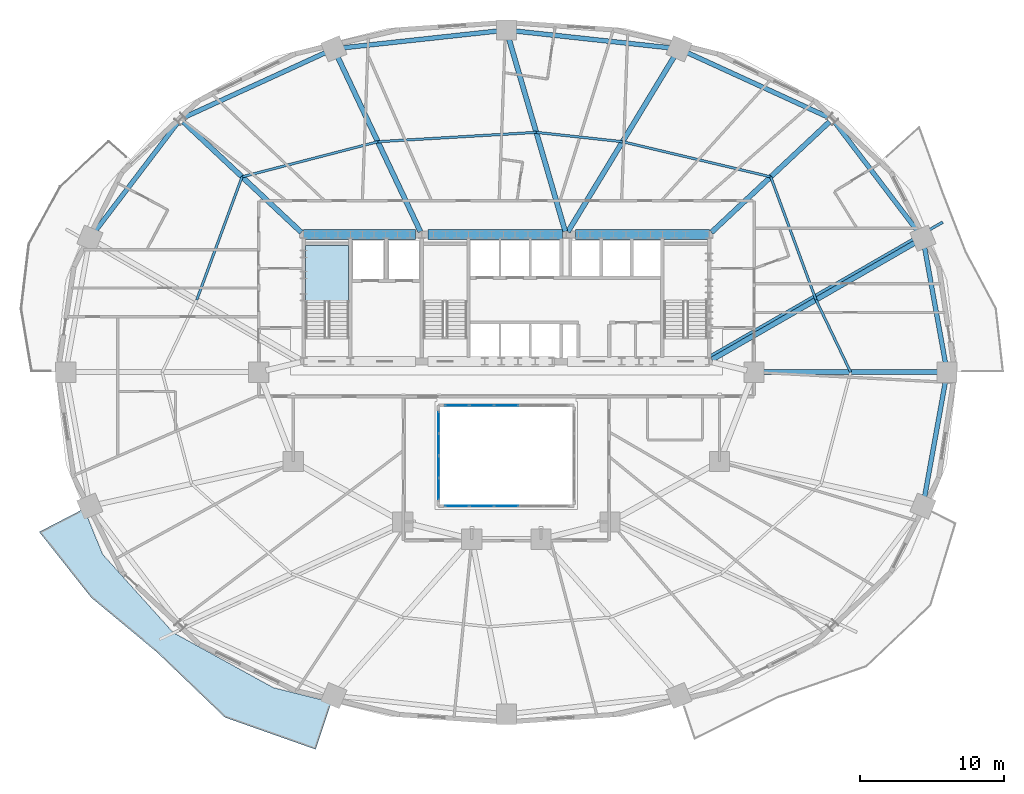
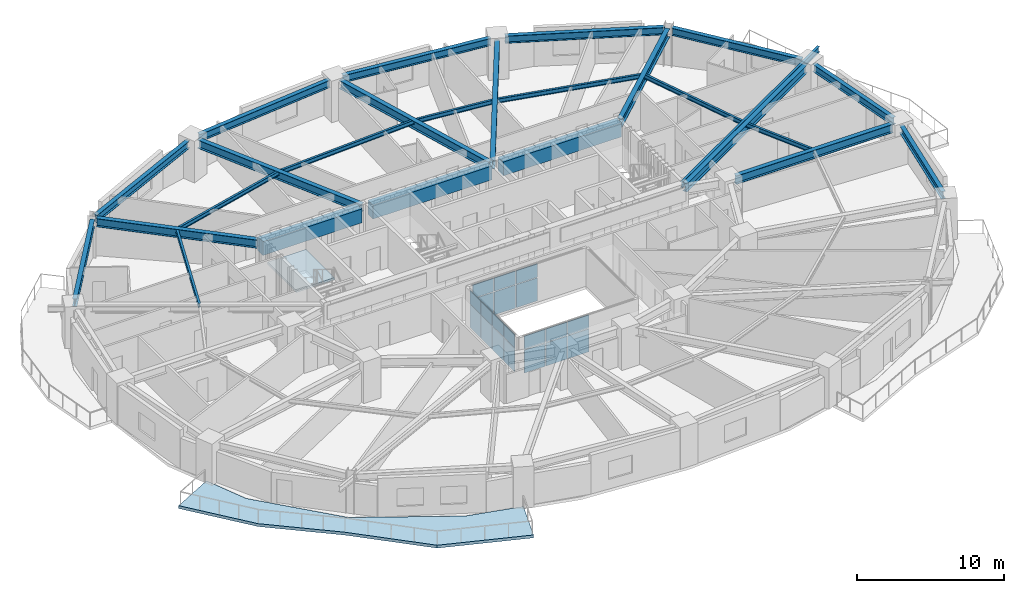
# One storey, part 7 of 17: 26 beams, 20 plates, 2 slabs, 4 elements without a shape of their own.
"""IFC4 building model written with IfcOpenShell, lengths in metres."""

from ifc_helpers import new_model, si_unit, direction, frame, origin, origin_2d, place, context, subcontext, project, spatial, polyline, rectangle, i_section, outline, extrude, material, layer, layer_set, material_profile, profile_set, type_object, element, aggregate, save


model = new_model("IFC4")

# Units and contexts
model_context = context("Model", 3, precision=1e-05, world=origin(), true_north=direction((0.0, 1.0)))
body_context = subcontext(model_context, "Body", "Model", "MODEL_VIEW")
ifc_project = project(units=[si_unit("LENGTHUNIT", "METRE"), si_unit("AREAUNIT", "SQUARE_METRE"), si_unit("VOLUMEUNIT", "CUBIC_METRE"), si_unit("PLANEANGLEUNIT", "RADIAN"), si_unit("MASSUNIT", "GRAM", prefix="KILO")], contexts=[model_context])

# Site, building, storey
site_placement = place(None, origin())
site = spatial("IfcSite", under=ifc_project, at=site_placement, CompositionType="ELEMENT")
building_placement = place(site_placement, origin())
building = spatial("IfcBuilding", under=site, at=building_placement, Name="Haldorwick Loom Tower", CompositionType="ELEMENT")
storey_placement = place(building_placement, frame((0.0, 0.0, 44.699951171875)))
storey = spatial("IfcBuildingStorey", under=building, at=storey_placement, Name="L11", CompositionType="ELEMENT", Elevation=44.699951171875)

# Beams
ifc_material_1 = material(Name="Steel CSA G40.21 350W", Category="steel")
ifc_material_profile_1 = material_profile(ifc_material_1, i_section(OverallWidth=0.193115234375, OverallDepth=0.466064453125, WebThickness=0.011474609375, FlangeThickness=0.01904296875, at=origin_2d()), Name="W460X97", Category="steel")
ifc_profile_set_1 = profile_set([ifc_material_profile_1], Name="Steel CSA G40.21 350W")
beam_type_1 = type_object("IfcBeamType", Name="STR-BM-BAL460", PredefinedType="BEAM", material=ifc_profile_set_1)
beam_1_placement = place(storey_placement, frame((50.125244140625, 27.10498046875, 2.97705078125), z_axis=(0.866607024941, 0.49899124674, 0.0), x_axis=(-0.49899124674, 0.866607024941, 0.0)))
element("IfcBeam", 1, at=beam_1_placement, inside=storey, type_object=beam_type_1, Name="L11 Continuous Back-Spanned Balcony Beam 4", PredefinedType="BEAM", context=body_context, shape_type="SweptSolid", body=[
    extrude(i_section(OverallWidth=0.193115234375, OverallDepth=0.466064453125, WebThickness=0.011474609375, FlangeThickness=0.01904296875, at=origin_2d()), origin(), (0.0, 0.0, 1.0), 18.65771484375),
])
ifc_material_2 = material(Name="Concrete C60 (60 MPa)", Category="concrete")
ifc_material_profile_2 = material_profile(ifc_material_2, rectangle(XDim=0.699951171875, YDim=1.14990234375, at=origin_2d()), Name="RC700X1150", Category="concrete")
ifc_profile_set_2 = profile_set([ifc_material_profile_2], Name="Concrete C60 (60 MPa)")
beam_type_2 = type_object("IfcBeamType", Name="STR-BM-CB1150", PredefinedType="LINTEL", material=ifc_profile_set_2)
beam_2_placement = place(storey_placement, frame((21.89990234375, 35.550048828125, 2.635009765625), z_axis=(1.0, 0.0, 0.0), x_axis=(0.0, 1.0, 0.0)))
element("IfcBeam", 2, at=beam_2_placement, inside=storey, type_object=beam_type_2, Name="L11 Core Coupling Beam CB-N1", PredefinedType="LINTEL", context=body_context, shape_type="SweptSolid", body=[
    extrude(rectangle(XDim=0.699951171875, YDim=1.14990234375, at=origin_2d()), origin(), (0.0, 0.0, 1.0), 7.800048828125),
])
beam_3_placement = place(storey_placement, frame((30.550048828125, 35.550048828125, 2.635009765625), z_axis=(1.0, 0.0, 0.0), x_axis=(0.0, 1.0, 0.0)))
element("IfcBeam", 3, at=beam_3_placement, inside=storey, type_object=beam_type_2, Name="L11 Core Coupling Beam CB-N2", PredefinedType="LINTEL", context=body_context, shape_type="SweptSolid", body=[
    extrude(rectangle(XDim=0.699951171875, YDim=1.14990234375, at=origin_2d()), origin(), (0.0, 0.0, 1.0), 9.349853515625),
])
beam_4_placement = place(storey_placement, frame((40.800048828125, 35.550048828125, 2.635009765625), z_axis=(1.0, 0.0, 0.0), x_axis=(0.0, 1.0, 0.0)))
element("IfcBeam", 4, at=beam_4_placement, inside=storey, type_object=beam_type_2, Name="L11 Core Coupling Beam CB-N3", PredefinedType="LINTEL", context=body_context, shape_type="SweptSolid", body=[
    extrude(rectangle(XDim=0.699951171875, YDim=1.14990234375, at=origin_2d()), origin(), (0.0, 0.0, 1.0), 9.300048828125),
])
ifc_material_profile_3 = material_profile(ifc_material_1, i_section(OverallWidth=0.172119140625, OverallDepth=0.35791015625, WebThickness=0.0078125, FlangeThickness=0.01318359375, at=origin_2d()), Name="W360X57", Category="steel")
ifc_profile_set_3 = profile_set([ifc_material_profile_3], Name="Steel CSA G40.21 350W")
beam_type_3 = type_object("IfcBeamType", Name="STR-BM-J360", PredefinedType="JOIST", material=ifc_profile_set_3)
beam_5_placement = place(storey_placement, frame((59.89794921875, 26.0, 3.031005859375), z_axis=(-0.431630738849, 0.902050389546, 0.0), x_axis=(-0.902050389546, -0.431630738849, 0.0)))
element("IfcBeam", 5, at=beam_5_placement, inside=storey, type_object=beam_type_3, Name="L11 Mid-Bay Secondary Joist 1", PredefinedType="JOIST", context=body_context, shape_type="SweptSolid", body=[
    extrude(i_section(OverallWidth=0.172119140625, OverallDepth=0.35791015625, WebThickness=0.0078125, FlangeThickness=0.01318359375, at=origin_2d()), origin(), (0.0, 0.0, 1.0), 5.5703125),
])
beam_6_placement = place(storey_placement, frame((57.49365234375, 31.024658203125, 3.031005859375), z_axis=(-0.345576005762, 0.938390763084, 0.0), x_axis=(-0.938390763084, -0.345576005762, 0.0)))
element("IfcBeam", 6, at=beam_6_placement, inside=storey, type_object=beam_type_3, Name="L11 Mid-Bay Secondary Joist 2", PredefinedType="JOIST", context=body_context, shape_type="SweptSolid", body=[
    extrude(i_section(OverallWidth=0.172119140625, OverallDepth=0.35791015625, WebThickness=0.0078125, FlangeThickness=0.01318359375, at=origin_2d()), origin(), (0.0, 0.0, 1.0), 9.0966796875),
])
beam_7_placement = place(storey_placement, frame((54.35009765625, 39.560791015625, 3.031005859375), z_axis=(-0.973016191143, 0.230736845289, 0.0), x_axis=(-0.230736845289, -0.973016191143, 0.0)))
element("IfcBeam", 7, at=beam_7_placement, inside=storey, type_object=beam_type_3, Name="L11 Mid-Bay Secondary Joist 3", PredefinedType="JOIST", context=body_context, shape_type="SweptSolid", body=[
    extrude(i_section(OverallWidth=0.172119140625, OverallDepth=0.35791015625, WebThickness=0.0078125, FlangeThickness=0.01318359375, at=origin_2d()), origin(), (0.0, 0.0, 1.0), 10.5712890625),
])
beam_8_placement = place(storey_placement, frame((44.06396484375, 42.0, 3.031005859375), z_axis=(-0.994163660215, 0.107882420753, 0.0), x_axis=(-0.107882420753, -0.994163660215, 0.0)))
element("IfcBeam", 8, at=beam_8_placement, inside=storey, type_object=beam_type_3, Name="L11 Mid-Bay Secondary Joist 4", PredefinedType="JOIST", context=body_context, shape_type="SweptSolid", body=[
    extrude(i_section(OverallWidth=0.172119140625, OverallDepth=0.35791015625, WebThickness=0.0078125, FlangeThickness=0.01318359375, at=origin_2d()), origin(), (0.0, 0.0, 1.0), 6.024169921875),
])
beam_9_placement = place(storey_placement, frame((38.074951171875, 42.64990234375, 3.031005859375), z_axis=(-0.998258904552, -0.058984400336, 0.0), x_axis=(0.058984400336, -0.998258904552, 0.0)))
element("IfcBeam", 9, at=beam_9_placement, inside=storey, type_object=beam_type_3, Name="L11 Mid-Bay Secondary Joist 5", PredefinedType="JOIST", context=body_context, shape_type="SweptSolid", body=[
    extrude(i_section(OverallWidth=0.172119140625, OverallDepth=0.35791015625, WebThickness=0.0078125, FlangeThickness=0.01318359375, at=origin_2d()), origin(), (0.0, 0.0, 1.0), 11.018310546875),
])
beam_10_placement = place(storey_placement, frame((27.075927734375, 42.0, 3.031005859375), z_axis=(-0.968110955806, -0.250521809927, 0.0), x_axis=(0.250521809927, -0.968110955806, 0.0)))
element("IfcBeam", 10, at=beam_10_placement, inside=storey, type_object=beam_type_3, Name="L11 Mid-Bay Secondary Joist 6", PredefinedType="JOIST", context=body_context, shape_type="SweptSolid", body=[
    extrude(i_section(OverallWidth=0.172119140625, OverallDepth=0.35791015625, WebThickness=0.0078125, FlangeThickness=0.01318359375, at=origin_2d()), origin(), (0.0, 0.0, 1.0), 9.736572265625),
])
beam_11_placement = place(storey_placement, frame((17.64990234375, 39.560791015625, 3.031005859375), z_axis=(-0.345576005762, -0.938390763084, 0.0), x_axis=(0.938390763084, -0.345576005762, 0.0)))
element("IfcBeam", 11, at=beam_11_placement, inside=storey, type_object=beam_type_3, Name="L11 Mid-Bay Secondary Joist 7", PredefinedType="JOIST", context=body_context, shape_type="SweptSolid", body=[
    extrude(i_section(OverallWidth=0.172119140625, OverallDepth=0.35791015625, WebThickness=0.0078125, FlangeThickness=0.01318359375, at=origin_2d()), origin(), (0.0, 0.0, 1.0), 9.0966796875),
])
ifc_material_profile_4 = material_profile(ifc_material_1, i_section(OverallWidth=0.324951171875, OverallDepth=0.615966796875, WebThickness=0.013916015625, FlangeThickness=0.021484375, at=origin_2d()), Name="W610X174", Category="steel")
ifc_profile_set_4 = profile_set([ifc_material_profile_4], Name="Steel CSA G40.21 350W")
beam_type_4 = type_object("IfcBeamType", Name="STR-BM-SP610", PredefinedType="SPANDREL", material=ifc_profile_set_4)
beam_12_placement = place(storey_placement, frame((66.503662109375, 26.51171875, 2.902099609375), z_axis=(-0.177641139482, 0.984095333575, 0.0), x_axis=(-0.984095333575, -0.177641139482, 0.0)))
element("IfcBeam", 12, at=beam_12_placement, inside=storey, type_object=beam_type_4, Name="L11 Perimeter Spandrel 1", PredefinedType="SPANDREL", context=body_context, shape_type="SweptSolid", body=[
    extrude(i_section(OverallWidth=0.324951171875, OverallDepth=0.615966796875, WebThickness=0.013916015625, FlangeThickness=0.021484375, at=origin_2d()), origin(), (0.0, 0.0, 1.0), 8.40966796875),
])
beam_13_placement = place(storey_placement, frame((64.602783203125, 35.713134765625, 2.902099609375), z_axis=(-0.605084557744, 0.796161213562, 0.0), x_axis=(-0.796161213562, -0.605084557744, 0.0)))
element("IfcBeam", 13, at=beam_13_placement, inside=storey, type_object=beam_type_4, Name="L11 Perimeter Spandrel 2", PredefinedType="SPANDREL", context=body_context, shape_type="SweptSolid", body=[
    extrude(i_section(OverallWidth=0.324951171875, OverallDepth=0.615966796875, WebThickness=0.013916015625, FlangeThickness=0.021484375, at=origin_2d()), origin(), (0.0, 0.0, 1.0), 9.595703125),
])
beam_14_placement = place(storey_placement, frame((58.380126953125, 43.68603515625, 2.902099609375), z_axis=(-0.909173805321, 0.416416848504, 0.0), x_axis=(-0.416416848504, -0.909173805321, 0.0)))
element("IfcBeam", 14, at=beam_14_placement, inside=storey, type_object=beam_type_4, Name="L11 Perimeter Spandrel 3", PredefinedType="SPANDREL", context=body_context, shape_type="SweptSolid", body=[
    extrude(i_section(OverallWidth=0.324951171875, OverallDepth=0.615966796875, WebThickness=0.013916015625, FlangeThickness=0.021484375, at=origin_2d()), origin(), (0.0, 0.0, 1.0), 10.92138671875),
])
for number, where, z_axis, x_axis, name in (
    (15, (47.4609375, 48.50634765625, 2.902099609375), (-0.994164438636, 0.107875247167, 0.0), (-0.107875247167, -0.994164438636, 0.0), "L11 Perimeter Spandrel 4"),
    (16, (35.48291015625, 49.69384765625, 2.902099609375), (-0.994164438636, -0.107875247167, 0.0), (0.107875247167, -0.994164438636, 0.0), "L11 Perimeter Spandrel 5"),
):
    element("IfcBeam", number, at=place(storey_placement, frame(where, z_axis=z_axis, x_axis=x_axis)), inside=storey, type_object=beam_type_4, Name=name, PredefinedType="SPANDREL", context=body_context, shape_type="SweptSolid", body=[
        extrude(i_section(OverallWidth=0.324951171875, OverallDepth=0.615966796875, WebThickness=0.013916015625, FlangeThickness=0.021484375, at=origin_2d()), origin(), (0.0, 0.0, 1.0), 11.008056640625),
    ])
beam_15_placement = place(storey_placement, frame((23.54931640625, 48.23388671875, 2.902099609375), z_axis=(-0.909173805321, -0.416416848504, 0.0), x_axis=(0.416416848504, -0.909173805321, 0.0)))
element("IfcBeam", 17, at=beam_15_placement, inside=storey, type_object=beam_type_4, Name="L11 Perimeter Spandrel 6", PredefinedType="SPANDREL", context=body_context, shape_type="SweptSolid", body=[
    extrude(i_section(OverallWidth=0.324951171875, OverallDepth=0.615966796875, WebThickness=0.013916015625, FlangeThickness=0.021484375, at=origin_2d()), origin(), (0.0, 0.0, 1.0), 10.92138671875),
])
beam_16_placement = place(storey_placement, frame((13.203369140625, 43.352783203125, 2.902099609375), z_axis=(-0.605084557744, -0.796161213562, 0.0), x_axis=(0.796161213562, -0.605084557744, 0.0)))
element("IfcBeam", 18, at=beam_16_placement, inside=storey, type_object=beam_type_4, Name="L11 Perimeter Spandrel 7", PredefinedType="SPANDREL", context=body_context, shape_type="SweptSolid", body=[
    extrude(i_section(OverallWidth=0.324951171875, OverallDepth=0.615966796875, WebThickness=0.013916015625, FlangeThickness=0.021484375, at=origin_2d()), origin(), (0.0, 0.0, 1.0), 9.595703125),
])
beam_17_placement = place(storey_placement, frame((65.009765625, 17.21240234375, 2.902099609375), z_axis=(0.177641139482, 0.984095333575, 0.0), x_axis=(-0.984095333575, 0.177641139482, 0.0)))
element("IfcBeam", 19, at=beam_17_placement, inside=storey, type_object=beam_type_4, Name="L11 Perimeter Spandrel 16", PredefinedType="SPANDREL", context=body_context, shape_type="SweptSolid", body=[
    extrude(i_section(OverallWidth=0.324951171875, OverallDepth=0.615966796875, WebThickness=0.013916015625, FlangeThickness=0.021484375, at=origin_2d()), origin(), (0.0, 0.0, 1.0), 8.40966796875),
])
ifc_material_profile_5 = material_profile(ifc_material_1, i_section(OverallWidth=0.35498046875, OverallDepth=0.695068359375, WebThickness=0.015380859375, FlangeThickness=0.02490234375, at=origin_2d()), Name="W690X217", Category="steel")
ifc_profile_set_5 = profile_set([ifc_material_profile_5], Name="Steel CSA G40.21 350W")
beam_type_5 = type_object("IfcBeamType", Name="STR-BM-W690", PredefinedType="BEAM", material=ifc_profile_set_5)
beam_18_placement = place(storey_placement, frame((53.719970703125, 26.0, 2.862548828125), z_axis=(1.0, 0.0, 0.0), x_axis=(0.0, 1.0, 0.0)))
element("IfcBeam", 20, at=beam_18_placement, inside=storey, type_object=beam_type_5, Name="L11 Radial Floor Girder 1", PredefinedType="BEAM", context=body_context, shape_type="SweptSolid", body=[
    extrude(i_section(OverallWidth=0.35498046875, OverallDepth=0.695068359375, WebThickness=0.015380859375, FlangeThickness=0.02490234375, at=origin_2d()), origin(), (0.0, 0.0, 1.0), 12.35595703125),
])
beam_19_placement = place(storey_placement, frame((50.264892578125, 26.8623046875, 2.862548828125), z_axis=(0.86660566838, 0.498993602696, 0.0), x_axis=(-0.498993602696, 0.86660566838, 0.0)))
element("IfcBeam", 21, at=beam_19_placement, inside=storey, type_object=beam_type_5, Name="L11 Radial Floor Girder 2", PredefinedType="BEAM", context=body_context, shape_type="SweptSolid", body=[
    extrude(i_section(OverallWidth=0.35498046875, OverallDepth=0.695068359375, WebThickness=0.015380859375, FlangeThickness=0.02490234375, at=origin_2d()), origin(), (0.0, 0.0, 1.0), 16.387939453125),
])
beam_20_placement = place(storey_placement, frame((50.234130859375, 35.703857421875, 2.862548828125), z_axis=(0.729689033278, 0.683779141766, 0.0), x_axis=(-0.683779141766, 0.729689033278, 0.0)))
element("IfcBeam", 22, at=beam_20_placement, inside=storey, type_object=beam_type_5, Name="L11 Radial Floor Girder 3", PredefinedType="BEAM", context=body_context, shape_type="SweptSolid", body=[
    extrude(i_section(OverallWidth=0.35498046875, OverallDepth=0.695068359375, WebThickness=0.015380859375, FlangeThickness=0.02490234375, at=origin_2d()), origin(), (0.0, 0.0, 1.0), 11.231201171875),
])
beam_21_placement = place(storey_placement, frame((40.2666015625, 35.742431640625, 2.862548828125), z_axis=(0.518781813409, 0.854906679162, 0.0), x_axis=(-0.854906679162, 0.518781813409, 0.0)))
element("IfcBeam", 23, at=beam_21_placement, inside=storey, type_object=beam_type_5, Name="L11 Radial Floor Girder 4", PredefinedType="BEAM", context=body_context, shape_type="SweptSolid", body=[
    extrude(i_section(OverallWidth=0.35498046875, OverallDepth=0.695068359375, WebThickness=0.015380859375, FlangeThickness=0.02490234375, at=origin_2d()), origin(), (0.0, 0.0, 1.0), 14.344482421875),
])
beam_22_placement = place(storey_placement, frame((40.0869140625, 35.76611328125, 2.862548828125), z_axis=(-0.28051378914, 0.959849995625, 0.0), x_axis=(-0.959849995625, -0.28051378914, 0.0)))
element("IfcBeam", 24, at=beam_22_placement, inside=storey, type_object=beam_type_5, Name="L11 Radial Floor Girder 5", PredefinedType="BEAM", context=body_context, shape_type="SweptSolid", body=[
    extrude(i_section(OverallWidth=0.35498046875, OverallDepth=0.695068359375, WebThickness=0.015380859375, FlangeThickness=0.02490234375, at=origin_2d()), origin(), (0.0, 0.0, 1.0), 14.048828125),
])
beam_23_placement = place(storey_placement, frame((30.03369140625, 35.75341796875, 2.862548828125), z_axis=(-0.427945149389, 0.903804707398, 0.0), x_axis=(-0.903804707398, -0.427945149389, 0.0)))
element("IfcBeam", 25, at=beam_23_placement, inside=storey, type_object=beam_type_5, Name="L11 Radial Floor Girder 6", PredefinedType="BEAM", context=body_context, shape_type="SweptSolid", body=[
    extrude(i_section(OverallWidth=0.35498046875, OverallDepth=0.695068359375, WebThickness=0.015380859375, FlangeThickness=0.02490234375, at=origin_2d()), origin(), (0.0, 0.0, 1.0), 13.528076171875),
])
beam_24_placement = place(storey_placement, frame((21.765869140625, 35.703857421875, 2.862548828125), z_axis=(-0.729689033278, 0.683779141766, 0.0), x_axis=(-0.683779141766, -0.729689033278, 0.0)))
element("IfcBeam", 26, at=beam_24_placement, inside=storey, type_object=beam_type_5, Name="L11 Radial Floor Girder 7", PredefinedType="BEAM", context=body_context, shape_type="SweptSolid", body=[
    extrude(i_section(OverallWidth=0.35498046875, OverallDepth=0.695068359375, WebThickness=0.015380859375, FlangeThickness=0.02490234375, at=origin_2d()), origin(), (0.0, 0.0, 1.0), 11.231201171875),
])

# Curtain wall, plates
ifc_material_3 = material(Name="Thermally Broken Anodized Aluminium Curtain Wall Framing", Category="aluminium")
curtain_wall_type = type_object("IfcCurtainWallType", Name="ARC-CW-03", PredefinedType="NOTDEFINED", material=ifc_material_3)
curtain_wall_1_placement = place(storey_placement, origin())
curtain_wall_1 = element("IfcCurtainWall", 27, at=curtain_wall_1_placement, inside=storey, type_object=curtain_wall_type, Name="L11 Atrium Glazed Screen S", PredefinedType="NOTDEFINED")
ifc_material_4 = material(Name="Triple-Glazed Low-E Argon Insulated Glazing Unit", Category="glass")
ifc_layer_1 = layer(ifc_material_4, 0.04296875, Name="Triple-Glazed Low-E Argon Insulated Glazing Unit", Category="glass")
ifc_layer_set_1 = layer_set([ifc_layer_1], Name="Triple-Glazed Low-E Argon Insulated Glazing Unit")
plate_type = type_object("IfcPlateType", Name="ARC-CWP-03", PredefinedType="CURTAIN_PANEL", material=ifc_layer_set_1)
plate_1_placement = place(storey_placement, frame((36.0, 16.699951171875, 0.066162109375), z_axis=(0.0, 0.0, 1.0), x_axis=(-1.0, 0.0, 0.0)))
plate_1 = element("IfcPlate", 28, at=plate_1_placement, type_object=plate_type, Name="CW-03 panel 3.1", PredefinedType="CURTAIN_PANEL", context=body_context, shape_type="SweptSolid", body=[
    extrude(rectangle(XDim=1.654052734375, YDim=0.04296875, at=origin_2d()), origin(), (0.0, 0.0, 1.0), 1.90087890625),
])
plate_2_placement = place(storey_placement, frame((36.0, 16.699951171875, 2.033203125), z_axis=(0.0, 0.0, 1.0), x_axis=(-1.0, 0.0, 0.0)))
plate_2 = element("IfcPlate", 29, at=plate_2_placement, type_object=plate_type, Name="CW-03 panel 3.2", PredefinedType="CURTAIN_PANEL", context=body_context, shape_type="SweptSolid", body=[
    extrude(rectangle(XDim=1.654052734375, YDim=0.04296875, at=origin_2d()), origin(), (0.0, 0.0, 1.0), 1.111083984375),
])
plate_3_placement = place(storey_placement, frame((34.280029296875, 16.699951171875, 0.066162109375), z_axis=(0.0, 0.0, 1.0), x_axis=(-1.0, 0.0, 0.0)))
plate_3 = element("IfcPlate", 30, at=plate_3_placement, type_object=plate_type, Name="CW-03 panel 4.1", PredefinedType="CURTAIN_PANEL", context=body_context, shape_type="SweptSolid", body=[
    extrude(rectangle(XDim=1.654052734375, YDim=0.04296875, at=origin_2d()), origin(), (0.0, 0.0, 1.0), 1.90087890625),
])
plate_4_placement = place(storey_placement, frame((34.280029296875, 16.699951171875, 2.033203125), z_axis=(0.0, 0.0, 1.0), x_axis=(-1.0, 0.0, 0.0)))
plate_4 = element("IfcPlate", 31, at=plate_4_placement, type_object=plate_type, Name="CW-03 panel 4.2", PredefinedType="CURTAIN_PANEL", context=body_context, shape_type="SweptSolid", body=[
    extrude(rectangle(XDim=1.654052734375, YDim=0.04296875, at=origin_2d()), origin(), (0.0, 0.0, 1.0), 1.111083984375),
])
plate_5_placement = place(storey_placement, frame((32.576416015625, 16.699951171875, 0.066162109375), z_axis=(0.0, 0.0, 1.0), x_axis=(-1.0, 0.0, 0.0)))
plate_5 = element("IfcPlate", 32, at=plate_5_placement, type_object=plate_type, Name="CW-03 panel 5.1", PredefinedType="CURTAIN_PANEL", context=body_context, shape_type="SweptSolid", body=[
    extrude(rectangle(XDim=1.62109375, YDim=0.04296875, at=origin_2d()), origin(), (0.0, 0.0, 1.0), 1.90087890625),
])
plate_6_placement = place(storey_placement, frame((32.576416015625, 16.699951171875, 2.033203125), z_axis=(0.0, 0.0, 1.0), x_axis=(-1.0, 0.0, 0.0)))
plate_6 = element("IfcPlate", 33, at=plate_6_placement, type_object=plate_type, Name="CW-03 panel 5.2", PredefinedType="CURTAIN_PANEL", context=body_context, shape_type="SweptSolid", body=[
    extrude(rectangle(XDim=1.62109375, YDim=0.04296875, at=origin_2d()), origin(), (0.0, 0.0, 1.0), 1.111083984375),
])
aggregate(curtain_wall_1, [plate_1, plate_2, plate_3, plate_4, plate_5, plate_6])

curtain_wall_2_placement = place(storey_placement, origin())
curtain_wall_2 = element("IfcCurtainWall", 34, at=curtain_wall_2_placement, inside=storey, type_object=curtain_wall_type, Name="L11 Atrium Glazed Screen N", PredefinedType="NOTDEFINED")
plate_7_placement = place(storey_placement, frame((32.576416015625, 23.699951171875, 0.066162109375), z_axis=(0.0, 0.0, 1.0), x_axis=(1.0, 0.0, 0.0)))
plate_7 = element("IfcPlate", 35, at=plate_7_placement, type_object=plate_type, Name="CW-03 panel 1.1", PredefinedType="CURTAIN_PANEL", context=body_context, shape_type="SweptSolid", body=[
    extrude(rectangle(XDim=1.62109375, YDim=0.04296875, at=origin_2d()), origin(), (0.0, 0.0, 1.0), 1.90087890625),
])
plate_8_placement = place(storey_placement, frame((32.576416015625, 23.699951171875, 2.033203125), z_axis=(0.0, 0.0, 1.0), x_axis=(1.0, 0.0, 0.0)))
plate_8 = element("IfcPlate", 36, at=plate_8_placement, type_object=plate_type, Name="CW-03 panel 1.2", PredefinedType="CURTAIN_PANEL", context=body_context, shape_type="SweptSolid", body=[
    extrude(rectangle(XDim=1.62109375, YDim=0.04296875, at=origin_2d()), origin(), (0.0, 0.0, 1.0), 1.111083984375),
])
plate_9_placement = place(storey_placement, frame((34.280029296875, 23.699951171875, 0.066162109375), z_axis=(0.0, 0.0, 1.0), x_axis=(1.0, 0.0, 0.0)))
plate_9 = element("IfcPlate", 37, at=plate_9_placement, type_object=plate_type, Name="CW-03 panel 2.1", PredefinedType="CURTAIN_PANEL", context=body_context, shape_type="SweptSolid", body=[
    extrude(rectangle(XDim=1.654052734375, YDim=0.04296875, at=origin_2d()), origin(), (0.0, 0.0, 1.0), 1.90087890625),
])
plate_10_placement = place(storey_placement, frame((34.280029296875, 23.699951171875, 2.033203125), z_axis=(0.0, 0.0, 1.0), x_axis=(1.0, 0.0, 0.0)))
plate_10 = element("IfcPlate", 38, at=plate_10_placement, type_object=plate_type, Name="CW-03 panel 2.2", PredefinedType="CURTAIN_PANEL", context=body_context, shape_type="SweptSolid", body=[
    extrude(rectangle(XDim=1.654052734375, YDim=0.04296875, at=origin_2d()), origin(), (0.0, 0.0, 1.0), 1.111083984375),
])
plate_11_placement = place(storey_placement, frame((36.0, 23.699951171875, 0.066162109375), z_axis=(0.0, 0.0, 1.0), x_axis=(1.0, 0.0, 0.0)))
plate_11 = element("IfcPlate", 39, at=plate_11_placement, type_object=plate_type, Name="CW-03 panel 3.1", PredefinedType="CURTAIN_PANEL", context=body_context, shape_type="SweptSolid", body=[
    extrude(rectangle(XDim=1.654052734375, YDim=0.04296875, at=origin_2d()), origin(), (0.0, 0.0, 1.0), 1.90087890625),
])
plate_12_placement = place(storey_placement, frame((36.0, 23.699951171875, 2.033203125), z_axis=(0.0, 0.0, 1.0), x_axis=(1.0, 0.0, 0.0)))
plate_12 = element("IfcPlate", 40, at=plate_12_placement, type_object=plate_type, Name="CW-03 panel 3.2", PredefinedType="CURTAIN_PANEL", context=body_context, shape_type="SweptSolid", body=[
    extrude(rectangle(XDim=1.654052734375, YDim=0.04296875, at=origin_2d()), origin(), (0.0, 0.0, 1.0), 1.111083984375),
])
aggregate(curtain_wall_2, [plate_7, plate_8, plate_9, plate_10, plate_11, plate_12])

curtain_wall_3_placement = place(storey_placement, origin())
curtain_wall_3 = element("IfcCurtainWall", 41, at=curtain_wall_3_placement, inside=storey, type_object=curtain_wall_type, Name="L11 Atrium Glazed Screen W", PredefinedType="NOTDEFINED")
plate_13_placement = place(storey_placement, frame((31.300048828125, 17.8916015625, 0.066162109375), z_axis=(0.0, 0.0, 1.0), x_axis=(0.0, 1.0, 0.0)))
plate_13 = element("IfcPlate", 42, at=plate_13_placement, type_object=plate_type, Name="CW-03 panel 1.1", PredefinedType="CURTAIN_PANEL", context=body_context, shape_type="SweptSolid", body=[
    extrude(rectangle(XDim=1.450927734375, YDim=0.04296875, at=origin_2d()), origin(), (0.0, 0.0, 1.0), 1.90087890625),
])
plate_14_placement = place(storey_placement, frame((31.300048828125, 17.8916015625, 2.033203125), z_axis=(0.0, 0.0, 1.0), x_axis=(0.0, 1.0, 0.0)))
plate_14 = element("IfcPlate", 43, at=plate_14_placement, type_object=plate_type, Name="CW-03 panel 1.2", PredefinedType="CURTAIN_PANEL", context=body_context, shape_type="SweptSolid", body=[
    extrude(rectangle(XDim=1.450927734375, YDim=0.04296875, at=origin_2d()), origin(), (0.0, 0.0, 1.0), 1.111083984375),
])
plate_15_placement = place(storey_placement, frame((31.300048828125, 19.425048828125, 0.066162109375), z_axis=(0.0, 0.0, 1.0), x_axis=(0.0, 1.0, 0.0)))
plate_15 = element("IfcPlate", 44, at=plate_15_placement, type_object=plate_type, Name="CW-03 panel 2.1", PredefinedType="CURTAIN_PANEL", context=body_context, shape_type="SweptSolid", body=[
    extrude(rectangle(XDim=1.48388671875, YDim=0.04296875, at=origin_2d()), origin(), (0.0, 0.0, 1.0), 1.90087890625),
])
plate_16_placement = place(storey_placement, frame((31.300048828125, 19.425048828125, 2.033203125), z_axis=(0.0, 0.0, 1.0), x_axis=(0.0, 1.0, 0.0)))
plate_16 = element("IfcPlate", 45, at=plate_16_placement, type_object=plate_type, Name="CW-03 panel 2.2", PredefinedType="CURTAIN_PANEL", context=body_context, shape_type="SweptSolid", body=[
    extrude(rectangle(XDim=1.48388671875, YDim=0.04296875, at=origin_2d()), origin(), (0.0, 0.0, 1.0), 1.111083984375),
])
plate_17_placement = place(storey_placement, frame((31.300048828125, 20.97509765625, 0.066162109375), z_axis=(0.0, 0.0, 1.0), x_axis=(0.0, 1.0, 0.0)))
plate_17 = element("IfcPlate", 46, at=plate_17_placement, type_object=plate_type, Name="CW-03 panel 3.1", PredefinedType="CURTAIN_PANEL", context=body_context, shape_type="SweptSolid", body=[
    extrude(rectangle(XDim=1.48388671875, YDim=0.04296875, at=origin_2d()), origin(), (0.0, 0.0, 1.0), 1.90087890625),
])
plate_18_placement = place(storey_placement, frame((31.300048828125, 20.97509765625, 2.033203125), z_axis=(0.0, 0.0, 1.0), x_axis=(0.0, 1.0, 0.0)))
plate_18 = element("IfcPlate", 47, at=plate_18_placement, type_object=plate_type, Name="CW-03 panel 3.2", PredefinedType="CURTAIN_PANEL", context=body_context, shape_type="SweptSolid", body=[
    extrude(rectangle(XDim=1.48388671875, YDim=0.04296875, at=origin_2d()), origin(), (0.0, 0.0, 1.0), 1.111083984375),
])
plate_19_placement = place(storey_placement, frame((31.300048828125, 22.508544921875, 0.066162109375), z_axis=(0.0, 0.0, 1.0), x_axis=(0.0, 1.0, 0.0)))
plate_19 = element("IfcPlate", 48, at=plate_19_placement, type_object=plate_type, Name="CW-03 panel 4.1", PredefinedType="CURTAIN_PANEL", context=body_context, shape_type="SweptSolid", body=[
    extrude(rectangle(XDim=1.450927734375, YDim=0.04296875, at=origin_2d()), origin(), (0.0, 0.0, 1.0), 1.90087890625),
])
plate_20_placement = place(storey_placement, frame((31.300048828125, 22.508544921875, 2.033203125), z_axis=(0.0, 0.0, 1.0), x_axis=(0.0, 1.0, 0.0)))
plate_20 = element("IfcPlate", 49, at=plate_20_placement, type_object=plate_type, Name="CW-03 panel 4.2", PredefinedType="CURTAIN_PANEL", context=body_context, shape_type="SweptSolid", body=[
    extrude(rectangle(XDim=1.450927734375, YDim=0.04296875, at=origin_2d()), origin(), (0.0, 0.0, 1.0), 1.111083984375),
])
aggregate(curtain_wall_3, [plate_13, plate_14, plate_15, plate_16, plate_17, plate_18, plate_19, plate_20])

# Slab
ifc_material_5 = material(Name="Concrete C40 (40 MPa)", Category="concrete")
ifc_layer_2 = layer(ifc_material_5, 0.239990234375, Name="Concrete C40 (40 MPa)", Category="concrete")
ifc_layer_set_2 = layer_set([ifc_layer_2], Name="Concrete C40 (40 MPa)")
slab_type_1 = type_object("IfcSlabType", Name="STR-SLB-BAL240", PredefinedType="FLOOR", material=ifc_layer_set_2)
slab_1_placement = place(storey_placement, frame((0.0, 0.0, -0.239990234375)))
element("IfcSlab", 50, at=slab_1_placement, inside=storey, type_object=slab_type_1, Name="L11 Sinusoidal Balcony Terrace BAL_SW", PredefinedType="FLOOR", context=body_context, shape_type="SweptSolid", body=[
    extrude(outline(polyline([(23.84814453125, 3.091064453125), (19.8203125, 4.0966796875), (19.819091796875, 4.096923828125), (19.81787109375, 4.097412109375), (19.81689453125, 4.09814453125), (12.86767578125, 7.92041015625), (12.8662109375, 7.921142578125), (12.86474609375, 7.922119140625), (12.86376953125, 7.92333984375), (7.97119140625, 13.3525390625), (7.97021484375, 13.353515625), (7.969482421875, 13.3544921875), (7.968994140625, 13.355712890625), (7.968505859375, 13.356689453125), (6.675537109375, 16.51708984375), (3.564453125, 14.910400390625), (7.17626953125, 10.352783203125), (11.77685546875, 6.52783203125), (16.4560546875, 2.037109375), (22.75439453125, -0.186279296875), (23.84814453125, 3.091064453125)])), origin(), (0.0, 0.0, 1.0), 0.239990234375),
])

# Stair, slab
stair_type = type_object("IfcStairType", Name="STR-STR-CORE", PredefinedType="HALF_TURN_STAIR", material=ifc_material_5)
stair_placement = place(storey_placement, origin())
stair = element("IfcStair", 51, at=stair_placement, inside=storey, type_object=stair_type, Name="L11 Exit Stair ST-01", PredefinedType="HALF_TURN_STAIR")
ifc_layer_3 = layer(ifc_material_5, 0.199951171875, Name="Concrete C40 (40 MPa)", Category="concrete")
ifc_layer_set_3 = layer_set([ifc_layer_3], Name="Concrete C40 (40 MPa)")
slab_type_2 = type_object("IfcSlabType", Name="STR-SLB-LAND200", PredefinedType="LANDING", material=ifc_layer_set_3)
slab_2_placement = place(storey_placement, frame((0.0, 0.0, 1.525146484375)))
slab_2 = element("IfcSlab", 52, at=slab_2_placement, type_object=slab_type_2, Name="ST-01 landing 1", PredefinedType="LANDING", context=body_context, shape_type="SweptSolid", body=[
    extrude(outline(polyline([(25.050048828125, 30.919921875), (25.050048828125, 34.800048828125), (22.050048828125, 34.800048828125), (22.050048828125, 30.919921875), (25.050048828125, 30.919921875)])), origin(), (0.0, 0.0, 1.0), 0.199951171875),
])
aggregate(stair, [slab_2])

save(model, "model.ifc")
